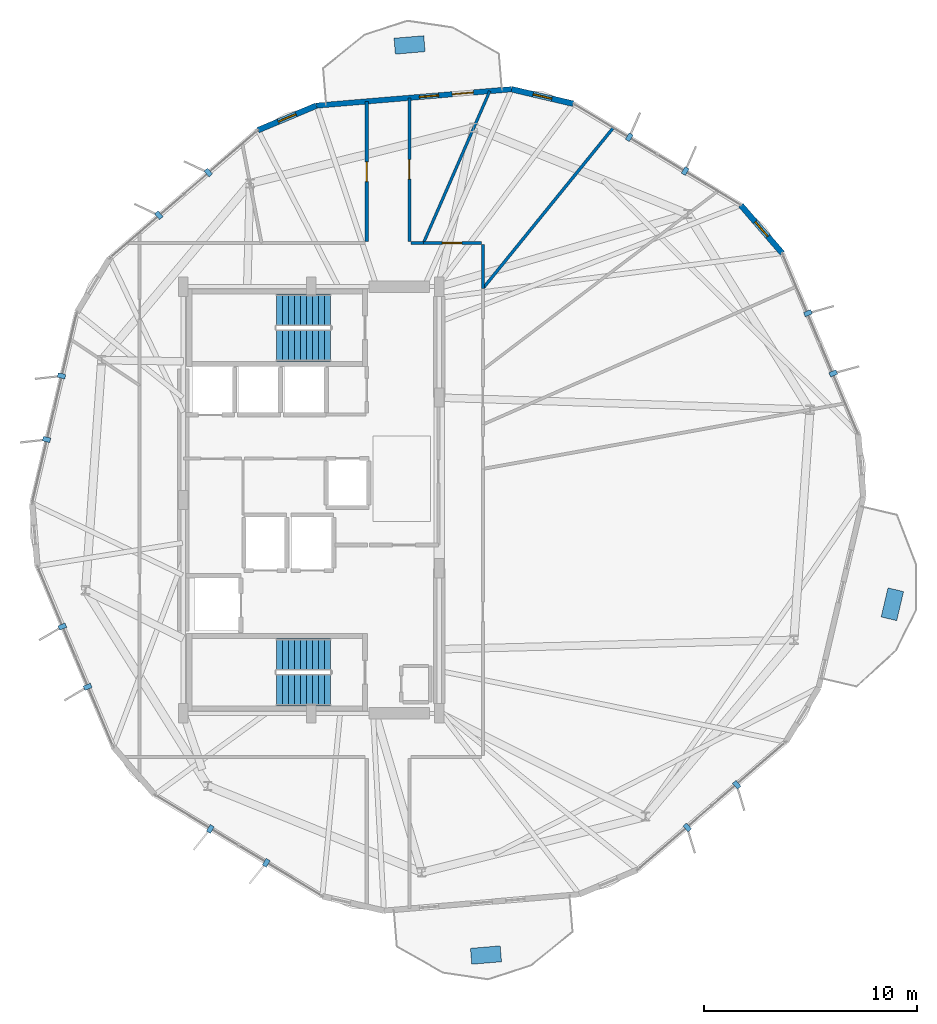
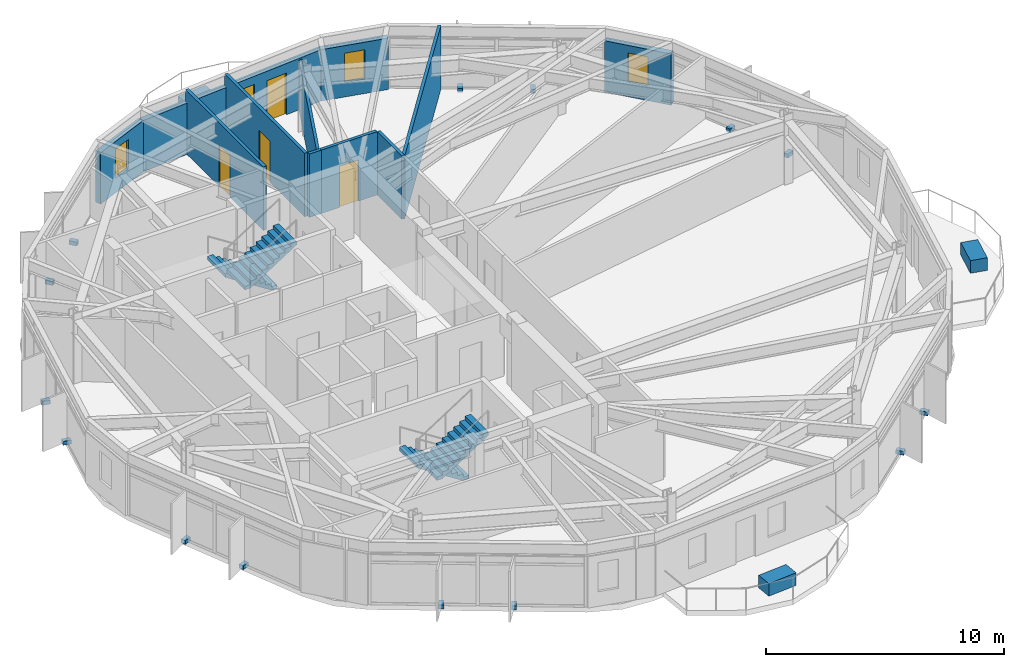
# One storey, part 24 of 27: 17 discrete accessories, 11 walls, 4 doors, 4 stair flights, 4 windows, 8 openings, 2 elements without a shape of their own.
"""IFC4 building model written with IfcOpenShell, lengths in metres."""

from ifc_helpers import new_model, si_unit, direction, frame, frame_2d, origin, origin_2d, place, context, subcontext, project, spatial, polyline, rectangle, outline, extrude, material, layer, layer_set, type_object, element, fill, aggregate, save


model = new_model("IFC4")

# Units and contexts
model_context = context("Model", 3, precision=1e-05, world=origin(), true_north=direction((0.0, 1.0)))
body_context = subcontext(model_context, "Body", "Model", "MODEL_VIEW")
ifc_project = project(units=[si_unit("LENGTHUNIT", "METRE"), si_unit("AREAUNIT", "SQUARE_METRE"), si_unit("VOLUMEUNIT", "CUBIC_METRE"), si_unit("PLANEANGLEUNIT", "RADIAN"), si_unit("MASSUNIT", "GRAM", prefix="KILO")], contexts=[model_context])

# Site, building, storey
site_placement = place(None, origin())
site = spatial("IfcSite", under=ifc_project, at=site_placement, CompositionType="ELEMENT")
building_placement = place(site_placement, origin())
building = spatial("IfcBuilding", under=site, at=building_placement, Name="Soratama Intermodal Tower", CompositionType="ELEMENT")
storey_placement = place(building_placement, frame((0.0, 0.0, 182.199951171875)))
storey = spatial("IfcBuildingStorey", under=building, at=storey_placement, Name="L45", CompositionType="ELEMENT", Elevation=182.199951171875)

# Wall, openings, door, window
ifc_material_1 = material(Name="Concrete f'c 42 MPa", Category="concrete")
ifc_layer_1 = layer(ifc_material_1, 0.25)
ifc_layer_set_1 = layer_set([ifc_layer_1], Name="Concrete f'c 42 MPa")
wall_type_1 = type_object("IfcWallType", Name="EW-BAL-250", PredefinedType="SOLIDWALL", material=ifc_layer_set_1)
wall_1_placement = place(storey_placement, frame((47.9931640625, 44.257080078125, 0.0), z_axis=(0.0, 0.0, 1.0), x_axis=(-0.996493149332, -0.083674388759, 0.0)))
wall_1 = element("IfcWall", 1, at=wall_1_placement, inside=storey, type_object=wall_type_1, Name="L45 Terrace Wall F02", PredefinedType="SOLIDWALL", context=body_context, shape_type="SweptSolid", body=[
    extrude(rectangle(XDim=9.18798828125, YDim=0.25, at=frame_2d((4.593994140625, 0.0))), origin(), (0.0, 0.0, 1.0), 2.63916015625),
])
opening_1_placement = place(wall_1_placement, frame((1.798095703125, 0.0, 0.0)))
opening_1 = element("IfcOpeningElement", 2, at=opening_1_placement, cuts=wall_1, Name="Opening ED-2", PredefinedType="OPENING", context=body_context, shape_type="SweptSolid", body=[
    extrude(rectangle(XDim=1.0, YDim=2.14990234375, at=frame_2d((0.5, 1.074951171875))), frame((0.0, 0.135009765625, 0.0), z_axis=(0.0, -1.0, 0.0), x_axis=(1.0, 0.0, 0.0)), (0.0, 0.0, 1.0), 0.27001953125),
])
opening_2_placement = place(wall_1_placement, frame((3.43798828125, 0.0, 0.719970703125)))
opening_2 = element("IfcOpeningElement", 3, at=opening_2_placement, cuts=wall_1, Name="Opening WN-6", PredefinedType="OPENING", context=body_context, shape_type="SweptSolid", body=[
    extrude(rectangle(XDim=0.89990234375, YDim=1.5, at=frame_2d((0.449951171875, 0.75))), frame((0.0, 0.135009765625, 0.0), z_axis=(0.0, -1.0, 0.0), x_axis=(1.0, 0.0, 0.0)), (0.0, 0.0, 1.0), 0.27001953125),
])
ifc_material_2 = material(Name="Double-glazed aluminium door", Category="aluminium")
door_type_1 = type_object("IfcDoorType", Name="DR-BAL-1000", OperationType="NOTDEFINED", PredefinedType="DOOR", material=ifc_material_2)
door_1_placement = place(opening_1_placement, origin())
door_1 = element("IfcDoor", 4, at=door_1_placement, inside=storey, type_object=door_type_1, Name="L45 Balcony Door F02", OperationType="SINGLE_SWING_RIGHT", OverallHeight=2.14990234375, OverallWidth=1.0, PredefinedType="DOOR", context=body_context, shape_type="SweptSolid", body=[
    extrude(rectangle(XDim=1.0, YDim=2.14990234375, at=frame_2d((0.5, 1.074951171875))), frame((0.0, 0.02490234375, 0.0), z_axis=(0.0, -1.0, 0.0), x_axis=(1.0, 0.0, 0.0)), (0.0, 0.0, 1.0), 0.050048828125),
])
fill(opening_1, door_1)
ifc_material_3 = material(Name="Double-glazed aluminium window", Category="aluminium")
window_type = type_object("IfcWindowType", Name="WN-FAC-900", PartitioningType="SINGLE_PANEL", PredefinedType="WINDOW", material=ifc_material_3)
window_1_placement = place(opening_2_placement, origin())
window_1 = element("IfcWindow", 5, at=window_1_placement, inside=storey, type_object=window_type, Name="L45 Window B F02", OverallHeight=1.5, OverallWidth=0.89990234375, PartitioningType="SINGLE_PANEL", PredefinedType="WINDOW", context=body_context, shape_type="SweptSolid", body=[
    extrude(rectangle(XDim=0.89990234375, YDim=1.5, at=frame_2d((0.449951171875, 0.75))), frame((0.0, 0.030029296875, 0.0), z_axis=(0.0, -1.0, 0.0), x_axis=(1.0, 0.0, 0.0)), (0.0, 0.0, 1.0), 0.06005859375),
])
fill(opening_2, window_1)

# Wall, opening, window
ifc_material_4 = material(Name="Concrete f'c 42 MPa", Category="concrete")
ifc_layer_2 = layer(ifc_material_4, 0.27001953125)
ifc_layer_set_2 = layer_set([ifc_layer_2], Name="Concrete f'c 42 MPa")
wall_type_2 = type_object("IfcWallType", Name="EW-CRN-270", PredefinedType="SOLIDWALL", material=ifc_layer_set_2)
wall_2_placement = place(storey_placement, frame((50.88134765625, 43.57958984375, 0.0), z_axis=(0.0, 0.0, 1.0), x_axis=(-0.973573440302, 0.228374158651, 0.0)))
wall_2 = element("IfcWall", 6, at=wall_2_placement, inside=storey, type_object=wall_type_2, Name="L45 Corner Closure Wall 01", PredefinedType="SOLIDWALL", context=body_context, shape_type="SweptSolid", body=[
    extrude(rectangle(XDim=2.966552734375, YDim=0.27001953125, at=frame_2d((1.4833984375, 0.0))), origin(), (0.0, 0.0, 1.0), 2.63916015625),
])
opening_3_placement = place(wall_2_placement, frame((1.033203125, 0.0, 0.75)))
opening_3 = element("IfcOpeningElement", 7, at=opening_3_placement, cuts=wall_2, Name="Opening WN-6", PredefinedType="OPENING", context=body_context, shape_type="SweptSolid", body=[
    extrude(rectangle(XDim=0.89990234375, YDim=1.5, at=frame_2d((0.449951171875, 0.75))), frame((0.0, 0.14501953125, 0.0), z_axis=(0.0, -1.0, 0.0), x_axis=(1.0, 0.0, 0.0)), (0.0, 0.0, 1.0), 0.2900390625),
])
window_2_placement = place(opening_3_placement, origin())
window_2 = element("IfcWindow", 8, at=window_2_placement, inside=storey, type_object=window_type, Name="L45 Corner Window 01", OverallHeight=1.5, OverallWidth=0.89990234375, PartitioningType="SINGLE_PANEL", PredefinedType="WINDOW", context=body_context, shape_type="SweptSolid", body=[
    extrude(rectangle(XDim=0.89990234375, YDim=1.5, at=frame_2d((0.449951171875, 0.75))), frame((0.0, 0.030029296875, 0.0), z_axis=(0.0, -1.0, 0.0), x_axis=(1.0, 0.0, 0.0)), (0.0, 0.0, 1.0), 0.06005859375),
])
fill(opening_3, window_2)

wall_3_placement = place(storey_placement, frame((38.83740234375, 43.48828125, 0.0), z_axis=(0.0, 0.0, 1.0), x_axis=(-0.921859835558, -0.387523474883, 0.0)))
wall_3 = element("IfcWall", 9, at=wall_3_placement, inside=storey, type_object=wall_type_2, Name="L45 Corner Closure Wall 02", PredefinedType="SOLIDWALL", context=body_context, shape_type="SweptSolid", body=[
    extrude(rectangle(XDim=2.966796875, YDim=0.27001953125, at=frame_2d((1.4833984375, 0.0))), origin(), (0.0, 0.0, 1.0), 2.63916015625),
])
opening_4_placement = place(wall_3_placement, frame((1.033203125, 0.0, 0.75)))
opening_4 = element("IfcOpeningElement", 10, at=opening_4_placement, cuts=wall_3, Name="Opening WN-6", PredefinedType="OPENING", context=body_context, shape_type="SweptSolid", body=[
    extrude(rectangle(XDim=0.89990234375, YDim=1.5, at=frame_2d((0.449951171875, 0.75))), frame((0.0, 0.14501953125, 0.0), z_axis=(0.0, -1.0, 0.0), x_axis=(1.0, 0.0, 0.0)), (0.0, 0.0, 1.0), 0.2900390625),
])
window_3_placement = place(opening_4_placement, origin())
window_3 = element("IfcWindow", 11, at=window_3_placement, inside=storey, type_object=window_type, Name="L45 Corner Window 02", OverallHeight=1.5, OverallWidth=0.89990234375, PartitioningType="SINGLE_PANEL", PredefinedType="WINDOW", context=body_context, shape_type="SweptSolid", body=[
    extrude(rectangle(XDim=0.89990234375, YDim=1.5, at=frame_2d((0.449951171875, 0.75))), frame((0.0, 0.030029296875, 0.0), z_axis=(0.0, -1.0, 0.0), x_axis=(1.0, 0.0, 0.0)), (0.0, 0.0, 1.0), 0.06005859375),
])
fill(opening_4, window_3)

wall_4_placement = place(storey_placement, frame((60.678955078125, 36.57421875, 0.0), z_axis=(0.0, 0.0, 1.0), x_axis=(-0.653444154336, 0.756974726899, 0.0)))
wall_4 = element("IfcWall", 12, at=wall_4_placement, inside=storey, type_object=wall_type_2, Name="L45 Corner Closure Wall 10", PredefinedType="SOLIDWALL", context=body_context, shape_type="SweptSolid", body=[
    extrude(rectangle(XDim=2.966552734375, YDim=0.27001953125, at=frame_2d((1.4833984375, 0.0))), origin(), (0.0, 0.0, 1.0), 2.63916015625),
])
opening_5_placement = place(wall_4_placement, frame((1.033203125, 0.0, 0.75)))
opening_5 = element("IfcOpeningElement", 13, at=opening_5_placement, cuts=wall_4, Name="Opening WN-6", PredefinedType="OPENING", context=body_context, shape_type="SweptSolid", body=[
    extrude(rectangle(XDim=0.89990234375, YDim=1.5, at=frame_2d((0.449951171875, 0.75))), frame((0.0, 0.14501953125, 0.0), z_axis=(0.0, -1.0, 0.0), x_axis=(1.0, 0.0, 0.0)), (0.0, 0.0, 1.0), 0.2900390625),
])
window_4_placement = place(opening_5_placement, origin())
window_4 = element("IfcWindow", 14, at=window_4_placement, inside=storey, type_object=window_type, Name="L45 Corner Window 10", OverallHeight=1.5, OverallWidth=0.89990234375, PartitioningType="SINGLE_PANEL", PredefinedType="WINDOW", context=body_context, shape_type="SweptSolid", body=[
    extrude(rectangle(XDim=0.89990234375, YDim=1.5, at=frame_2d((0.449951171875, 0.75))), frame((0.0, 0.030029296875, 0.0), z_axis=(0.0, -1.0, 0.0), x_axis=(1.0, 0.0, 0.0)), (0.0, 0.0, 1.0), 0.06005859375),
])
fill(opening_5, window_4)

# Wall, opening, door
ifc_material_5 = material(Name="Fire-rated gypsum stud partition", Category="concrete")
ifc_layer_3 = layer(ifc_material_5, 0.14990234375)
ifc_layer_set_3 = layer_set([ifc_layer_3], Name="Fire-rated gypsum stud partition")
wall_type_3 = type_object("IfcWallType", Name="IW-PART-R150", PredefinedType="PARTITIONING", material=ifc_layer_set_3)
wall_5_placement = place(storey_placement, frame((43.199951171875, 43.85498046875, 0.0), z_axis=(0.0, 0.0, 1.0), x_axis=(0.0, -1.0, 0.0)))
wall_5 = element("IfcWall", 15, at=wall_5_placement, inside=storey, type_object=wall_type_3, Name="L45 Partition W-L45-TP013", PredefinedType="PARTITIONING", context=body_context, shape_type="SweptSolid", body=[
    extrude(rectangle(XDim=6.73486328125, YDim=0.14990234375, at=frame_2d((3.367431640625, 0.0))), origin(), (0.0, 0.0, 1.0), 3.260009765625),
])
opening_6_placement = place(wall_5_placement, frame((2.89208984375, 0.0, 0.0)))
opening_6 = element("IfcOpeningElement", 16, at=opening_6_placement, cuts=wall_5, Name="Opening ID-6", PredefinedType="OPENING", context=body_context, shape_type="SweptSolid", body=[
    extrude(rectangle(XDim=0.919921875, YDim=2.1201171875, at=frame_2d((0.4599609375, 1.06005859375))), frame((0.0, 0.0849609375, 0.0), z_axis=(0.0, -1.0, 0.0), x_axis=(1.0, 0.0, 0.0)), (0.0, 0.0, 1.0), 0.169921875),
])
ifc_material_6 = material(Name="Solid hardwood acoustic door", Category="wood")
door_type_2 = type_object("IfcDoorType", Name="DR-ROOM-920", OperationType="NOTDEFINED", PredefinedType="DOOR", material=ifc_material_6)
door_2_placement = place(opening_6_placement, origin())
door_2 = element("IfcDoor", 17, at=door_2_placement, inside=storey, type_object=door_type_2, Name="L45 Door D-L45-TP005", OperationType="SINGLE_SWING_RIGHT", OverallHeight=2.1201171875, OverallWidth=0.919921875, PredefinedType="DOOR", context=body_context, shape_type="SweptSolid", body=[
    extrude(rectangle(XDim=0.919921875, YDim=2.1201171875, at=frame_2d((0.4599609375, 1.06005859375))), frame((0.0, 0.02490234375, 0.0), z_axis=(0.0, -1.0, 0.0), x_axis=(1.0, 0.0, 0.0)), (0.0, 0.0, 1.0), 0.050048828125),
])
fill(opening_6, door_2)

wall_6_placement = place(storey_placement, frame((41.199951171875, 37.1201171875, 0.0), z_axis=(0.0, 0.0, 1.0), x_axis=(0.0, 1.0, 0.0)))
wall_6 = element("IfcWall", 18, at=wall_6_placement, inside=storey, type_object=wall_type_3, Name="L45 Partition W-L45-TP014", PredefinedType="PARTITIONING", context=body_context, shape_type="SweptSolid", body=[
    extrude(rectangle(XDim=6.56689453125, YDim=0.14990234375, at=frame_2d((3.283447265625, 0.0))), origin(), (0.0, 0.0, 1.0), 3.260009765625),
])
opening_7_placement = place(wall_6_placement, frame((2.80810546875, 0.0, 0.0)))
opening_7 = element("IfcOpeningElement", 19, at=opening_7_placement, cuts=wall_6, Name="Opening ID-6", PredefinedType="OPENING", context=body_context, shape_type="SweptSolid", body=[
    extrude(rectangle(XDim=0.919921875, YDim=2.1201171875, at=frame_2d((0.4599609375, 1.06005859375))), frame((0.0, 0.0849609375, 0.0), z_axis=(0.0, -1.0, 0.0), x_axis=(1.0, 0.0, 0.0)), (0.0, 0.0, 1.0), 0.169921875),
])
door_3_placement = place(opening_7_placement, origin())
door_3 = element("IfcDoor", 20, at=door_3_placement, inside=storey, type_object=door_type_2, Name="L45 Door D-L45-TP006", OperationType="SINGLE_SWING_LEFT", OverallHeight=2.1201171875, OverallWidth=0.919921875, PredefinedType="DOOR", context=body_context, shape_type="SweptSolid", body=[
    extrude(rectangle(XDim=0.919921875, YDim=2.1201171875, at=frame_2d((0.4599609375, 1.06005859375))), frame((0.0, 0.02490234375, 0.0), z_axis=(0.0, -1.0, 0.0), x_axis=(1.0, 0.0, 0.0)), (0.0, 0.0, 1.0), 0.050048828125),
])
fill(opening_7, door_3)

wall_7_placement = place(storey_placement, frame((43.860107421875, 37.050048828125, 0.0), z_axis=(0.0, 0.0, 1.0), x_axis=(1.0, 0.0, 0.0)))
wall_7 = element("IfcWall", 21, at=wall_7_placement, inside=storey, type_object=wall_type_3, Name="L45 Partition W-L45-TP024", PredefinedType="PARTITIONING", context=body_context, shape_type="SweptSolid", body=[
    extrude(rectangle(XDim=2.719970703125, YDim=0.14990234375, at=frame_2d((1.35986328125, 0.0))), origin(), (0.0, 0.0, 1.0), 3.260009765625),
])
opening_8_placement = place(wall_7_placement, frame((0.885009765625, 0.0, 0.0)))
opening_8 = element("IfcOpeningElement", 22, at=opening_8_placement, cuts=wall_7, Name="Opening ID-6", PredefinedType="OPENING", context=body_context, shape_type="SweptSolid", body=[
    extrude(rectangle(XDim=0.919921875, YDim=2.1201171875, at=frame_2d((0.4599609375, 1.06005859375))), frame((0.0, 0.0849609375, 0.0), z_axis=(0.0, -1.0, 0.0), x_axis=(1.0, 0.0, 0.0)), (0.0, 0.0, 1.0), 0.169921875),
])
door_4_placement = place(opening_8_placement, origin())
door_4 = element("IfcDoor", 23, at=door_4_placement, inside=storey, type_object=door_type_2, Name="L45 Door D-L45-TP011", OperationType="SINGLE_SWING_RIGHT", OverallHeight=2.1201171875, OverallWidth=0.919921875, PredefinedType="DOOR", context=body_context, shape_type="SweptSolid", body=[
    extrude(rectangle(XDim=0.919921875, YDim=2.1201171875, at=frame_2d((0.4599609375, 1.06005859375))), frame((0.0, 0.02490234375, 0.0), z_axis=(0.0, -1.0, 0.0), x_axis=(1.0, 0.0, 0.0)), (0.0, 0.0, 1.0), 0.050048828125),
])
fill(opening_8, door_4)

# Walls
wall_8_placement = place(storey_placement, frame((46.64990234375, 36.97998046875, 0.0), z_axis=(0.0, 0.0, 1.0), x_axis=(0.0, -1.0, 0.0)))
element("IfcWall", 24, at=wall_8_placement, inside=storey, type_object=wall_type_3, Name="L45 Partition W-L45-TP029", PredefinedType="PARTITIONING", context=body_context, shape_type="SweptSolid", body=[
    extrude(rectangle(XDim=2.05908203125, YDim=0.14990234375, at=frame_2d((1.029541015625, 0.0))), origin(), (0.0, 0.0, 1.0), 3.260009765625),
])
wall_9_placement = place(storey_placement, frame((43.27001953125, 37.050048828125, 0.0), z_axis=(0.0, 0.0, 1.0), x_axis=(1.0, 0.0, 0.0)))
element("IfcWall", 25, at=wall_9_placement, inside=storey, type_object=wall_type_3, Name="L45 Partition W-L45-TP032", PredefinedType="PARTITIONING", context=body_context, shape_type="SweptSolid", body=[
    extrude(rectangle(XDim=0.590087890625, YDim=0.14990234375, at=frame_2d((0.294921875, 0.0))), origin(), (0.0, 0.0, 1.0), 3.260009765625),
])
ifc_material_7 = material(Name="Fire-rated gypsum stud partition", Category="concrete")
ifc_layer_4 = layer(ifc_material_7, 0.1298828125)
ifc_layer_set_4 = layer_set([ifc_layer_4], Name="Fire-rated gypsum stud partition")
wall_type_4 = type_object("IfcWallType", Name="IW-PART-S130", PredefinedType="PARTITIONING", material=ifc_layer_set_4)
wall_10_placement = place(storey_placement, frame((43.860107421875, 37.050048828125, 0.0), z_axis=(0.0, 0.0, 1.0), x_axis=(0.400118177533, 0.916463553016, 0.0)))
element("IfcWall", 26, at=wall_10_placement, inside=storey, type_object=wall_type_4, Name="L45 Partition W-L45-TP008", PredefinedType="PARTITIONING", context=body_context, shape_type="SweptSolid", body=[
    extrude(rectangle(XDim=7.77001953125, YDim=0.1298828125, at=frame_2d((3.885009765625, 0.0))), origin(), (0.0, 0.0, 1.0), 2.554931640625),
])
ifc_material_8 = material(Name="Fire-rated gypsum stud partition", Category="concrete")
ifc_layer_5 = layer(ifc_material_8, 0.139892578125)
ifc_layer_set_5 = layer_set([ifc_layer_5], Name="Fire-rated gypsum stud partition")
wall_type_5 = type_object("IfcWallType", Name="IW-PART-S140", PredefinedType="PARTITIONING", material=ifc_layer_set_5)
wall_11_placement = place(storey_placement, frame((46.64990234375, 34.9208984375, 0.0), z_axis=(0.0, 0.0, 1.0), x_axis=(0.630069812672, 0.776538493031, 0.0)))
element("IfcWall", 27, at=wall_11_placement, inside=storey, type_object=wall_type_5, Name="L45 Partition W-L45-TP007", PredefinedType="PARTITIONING", context=body_context, shape_type="SweptSolid", body=[
    extrude(rectangle(XDim=9.689453125, YDim=0.139892578125, at=frame_2d((4.8447265625, 0.0))), origin(), (0.0, 0.0, 1.0), 3.260009765625),
])

# Stair, stair flights
ifc_material_9 = material(Name="Concrete f'c 42 MPa", Category="concrete")
stair_type = type_object("IfcStairType", Name="ST-CORE-DOGLEG", PredefinedType="HALF_TURN_STAIR", material=ifc_material_9)
stair_1_placement = place(storey_placement, origin())
stair_1 = element("IfcStair", 28, at=stair_1_placement, inside=storey, type_object=stair_type, Name="L45 ST-1", PredefinedType="HALF_TURN_STAIR")
ifc_material_10 = material(Name="Precast concrete f'c 40 MPa", Category="concrete")
ifc_layer_6 = layer(ifc_material_10, 0.199951171875)
ifc_layer_set_6 = layer_set([ifc_layer_6], Name="Precast concrete f'c 40 MPa")
stair_flight_type = type_object("IfcStairFlightType", Name="SF-FLIGHT-RC", PredefinedType="STRAIGHT", material=ifc_layer_set_6)
stair_flight_1_placement = place(storey_placement, frame((39.5, 17.75, 0.0), z_axis=(0.0, 0.0, 1.0), x_axis=(-1.0, 0.0, 0.0)))
stair_flight_1 = element("IfcStairFlight", 29, at=stair_flight_1_placement, type_object=stair_flight_type, Name="ST-1 flight 1", NumberOfRisers=10, NumberOfTreads=9, PredefinedType="STRAIGHT", RiserHeight=0.18, TreadLength=0.28, context=body_context, shape_type="SweptSolid", body=[
    extrude(outline(polyline([(0.0, 0.0), (0.0, 0.179931640625), (0.280029296875, 0.179931640625), (0.280029296875, 0.360107421875), (0.56005859375, 0.360107421875), (0.56005859375, 0.5400390625), (0.840087890625, 0.5400390625), (0.840087890625, 0.719970703125), (1.1201171875, 0.719970703125), (1.1201171875, 0.89990234375), (1.39990234375, 0.89990234375), (1.39990234375, 1.080078125), (1.679931640625, 1.080078125), (1.679931640625, 1.260009765625), (1.9599609375, 1.260009765625), (1.9599609375, 1.43994140625), (2.239990234375, 1.43994140625), (2.239990234375, 1.6201171875), (2.52001953125, 1.6201171875), (2.52001953125, 1.800048828125), (2.52001953125, 1.44189453125), (0.277099609375, 0.0), (0.0, 0.0)])), frame((0.0, 0.75, 0.0), z_axis=(0.0, -1.0, 0.0), x_axis=(1.0, 0.0, 0.0)), (0.0, 0.0, 1.0), 1.5),
])
stair_flight_2_placement = place(storey_placement, frame((36.97998046875, 16.10009765625, 1.800048828125), z_axis=(0.0, 0.0, 1.0), x_axis=(1.0, 0.0, 0.0)))
stair_flight_2 = element("IfcStairFlight", 30, at=stair_flight_2_placement, type_object=stair_flight_type, Name="ST-1 flight 2", NumberOfRisers=10, NumberOfTreads=9, PredefinedType="STRAIGHT", RiserHeight=0.18, TreadLength=0.28, context=body_context, shape_type="SweptSolid", body=[
    extrude(outline(polyline([(0.0, 0.0), (0.0, 0.179931640625), (0.280029296875, 0.179931640625), (0.280029296875, 0.360107421875), (0.56005859375, 0.360107421875), (0.56005859375, 0.5400390625), (0.840087890625, 0.5400390625), (0.840087890625, 0.719970703125), (1.1201171875, 0.719970703125), (1.1201171875, 0.89990234375), (1.39990234375, 0.89990234375), (1.39990234375, 1.080078125), (1.679931640625, 1.080078125), (1.679931640625, 1.260009765625), (1.9599609375, 1.260009765625), (1.9599609375, 1.43994140625), (2.239990234375, 1.43994140625), (2.239990234375, 1.6201171875), (2.52001953125, 1.6201171875), (2.52001953125, 1.800048828125), (2.52001953125, 1.44189453125), (0.277099609375, 0.0), (0.0, 0.0)])), frame((0.0, 0.75, 0.0), z_axis=(0.0, -1.0, 0.0), x_axis=(1.0, 0.0, 0.0)), (0.0, 0.0, 1.0), 1.5),
])
aggregate(stair_1, [stair_flight_1, stair_flight_2])

stair_2_placement = place(storey_placement, origin())
stair_2 = element("IfcStair", 31, at=stair_2_placement, inside=storey, type_object=stair_type, Name="L45 ST-2", PredefinedType="HALF_TURN_STAIR")
stair_flight_3_placement = place(storey_placement, frame((39.5, 33.89990234375, 0.0), z_axis=(0.0, 0.0, 1.0), x_axis=(-1.0, 0.0, 0.0)))
stair_flight_3 = element("IfcStairFlight", 32, at=stair_flight_3_placement, type_object=stair_flight_type, Name="ST-2 flight 1", NumberOfRisers=10, NumberOfTreads=9, PredefinedType="STRAIGHT", RiserHeight=0.18, TreadLength=0.28, context=body_context, shape_type="SweptSolid", body=[
    extrude(outline(polyline([(0.0, 0.0), (0.0, 0.179931640625), (0.280029296875, 0.179931640625), (0.280029296875, 0.360107421875), (0.56005859375, 0.360107421875), (0.56005859375, 0.5400390625), (0.840087890625, 0.5400390625), (0.840087890625, 0.719970703125), (1.1201171875, 0.719970703125), (1.1201171875, 0.89990234375), (1.39990234375, 0.89990234375), (1.39990234375, 1.080078125), (1.679931640625, 1.080078125), (1.679931640625, 1.260009765625), (1.9599609375, 1.260009765625), (1.9599609375, 1.43994140625), (2.239990234375, 1.43994140625), (2.239990234375, 1.6201171875), (2.52001953125, 1.6201171875), (2.52001953125, 1.800048828125), (2.52001953125, 1.44189453125), (0.277099609375, 0.0), (0.0, 0.0)])), frame((0.0, 0.75, 0.0), z_axis=(0.0, -1.0, 0.0), x_axis=(1.0, 0.0, 0.0)), (0.0, 0.0, 1.0), 1.5),
])
stair_flight_4_placement = place(storey_placement, frame((36.97998046875, 32.25, 1.800048828125), z_axis=(0.0, 0.0, 1.0), x_axis=(1.0, 0.0, 0.0)))
stair_flight_4 = element("IfcStairFlight", 33, at=stair_flight_4_placement, type_object=stair_flight_type, Name="ST-2 flight 2", NumberOfRisers=10, NumberOfTreads=9, PredefinedType="STRAIGHT", RiserHeight=0.18, TreadLength=0.28, context=body_context, shape_type="SweptSolid", body=[
    extrude(outline(polyline([(0.0, 0.0), (0.0, 0.179931640625), (0.280029296875, 0.179931640625), (0.280029296875, 0.360107421875), (0.56005859375, 0.360107421875), (0.56005859375, 0.5400390625), (0.840087890625, 0.5400390625), (0.840087890625, 0.719970703125), (1.1201171875, 0.719970703125), (1.1201171875, 0.89990234375), (1.39990234375, 0.89990234375), (1.39990234375, 1.080078125), (1.679931640625, 1.080078125), (1.679931640625, 1.260009765625), (1.9599609375, 1.260009765625), (1.9599609375, 1.43994140625), (2.239990234375, 1.43994140625), (2.239990234375, 1.6201171875), (2.52001953125, 1.6201171875), (2.52001953125, 1.800048828125), (2.52001953125, 1.44189453125), (0.277099609375, 0.0), (0.0, 0.0)])), frame((0.0, 0.75, 0.0), z_axis=(0.0, -1.0, 0.0), x_axis=(1.0, 0.0, 0.0)), (0.0, 0.0, 1.0), 1.5),
])
aggregate(stair_2, [stair_flight_3, stair_flight_4])

# Discrete accessories
ifc_material_11 = material(Name="Structural steel ASTM A992 Grade 50", Category="steel")
discrete_accessory_type_1 = type_object("IfcDiscreteAccessoryType", Name="AC-FIN-BRACKET", PredefinedType="BRACKET", material=ifc_material_11)
for number, where, z_axis, x_axis, name in (
    (34, (56.131103515625, 40.423583984375, -0.080078125), (0.0, 0.0, 1.0), (0.518027009373, 0.855364260161, 0.0), "L45 Fin Bracket F01-1"),
    (35, (53.511474609375, 42.010009765625, -0.080078125), (0.0, 0.0, 1.0), (0.518027009373, 0.855364260161, 0.0), "L45 Fin Bracket F01-2"),
    (36, (33.77099609375, 40.3525390625, -0.080078125), (0.0, 0.0, 1.0), (-0.65342060399, 0.756995055652, 0.0), "L45 Fin Bracket F03-1"),
    (37, (31.45263671875, 38.351318359375, -0.080078125), (0.0, 0.0, 1.0), (-0.65342060399, 0.756995055652, 0.0), "L45 Fin Bracket F03-2"),
    (38, (26.8916015625, 30.8203125, -0.080078125), (0.0, 0.0, 1.0), (-0.973578902873, 0.228350870111, 0.0), "L45 Fin Bracket F04-1"),
    (39, (26.192138671875, 27.83837890625, -0.080078125), (0.0, 0.0, 1.0), (-0.973578902873, 0.228350870111, 0.0), "L45 Fin Bracket F04-2"),
    (40, (26.928955078125, 19.064697265625, -0.080078125), (0.0, 0.0, 1.0), (-0.921863151589, -0.387515586452, 0.0), "L45 Fin Bracket F05-1"),
    (41, (28.11572265625, 16.2412109375, -0.080078125), (0.0, 0.0, 1.0), (-0.921863151589, -0.387515586452, 0.0), "L45 Fin Bracket F05-2"),
    (42, (33.868896484375, 9.576416015625, -0.080078125), (0.0, 0.0, 1.0), (-0.518027009373, -0.855364260161, 0.0), "L45 Fin Bracket F06-1"),
    (43, (36.488525390625, 7.989990234375, -0.080078125), (0.0, 0.0, 1.0), (-0.518027009373, -0.855364260161, 0.0), "L45 Fin Bracket F06-2"),
    (44, (56.22900390625, 9.6474609375, -0.080078125), (0.0, 0.0, 1.0), (0.65342060399, -0.756995055652, 0.0), "L45 Fin Bracket F08-1"),
    (45, (58.54736328125, 11.648681640625, -0.080078125), (0.0, 0.0, 1.0), (0.65342060399, -0.756995055652, 0.0), "L45 Fin Bracket F08-2"),
    (46, (63.071044921875, 30.935302734375, -0.080078125), (0.0, 0.0, 1.0), (0.921863151589, 0.387515586452, 0.0), "L45 Fin Bracket F10-1"),
    (47, (61.88427734375, 33.7587890625, -0.080078125), (0.0, 0.0, 1.0), (0.921863151589, 0.387515586452, 0.0), "L45 Fin Bracket F10-2"),
):
    element("IfcDiscreteAccessory", number, at=place(storey_placement, frame(where, z_axis=z_axis, x_axis=x_axis)), inside=storey, type_object=discrete_accessory_type_1, Name=name, PredefinedType="BRACKET", context=body_context, shape_type="SweptSolid", body=[
        extrude(rectangle(XDim=0.360107421875, YDim=0.219970703125, at=origin_2d()), origin(), (0.0, 0.0, 1.0), 0.199951171875),
    ])
ifc_material_12 = material(Name="Precast concrete f'c 40 MPa", Category="concrete")
discrete_accessory_type_2 = type_object("IfcDiscreteAccessoryType", Name="AC-PLANTER-TREE", PredefinedType="USERDEFINED", material=ifc_material_12)
for number, where, z_axis, x_axis, name in (
    (48, (65.843505859375, 20.111083984375, 0.0), (0.0, 0.0, 1.0), (0.973578902873, -0.228350870111, 0.0), "L45 Tree Planter 1"),
    (49, (43.20849609375, 46.333984375, 0.0), (0.0, 0.0, 1.0), (-0.083677843332, 0.99649285925, 0.0), "L45 Tree Planter 2"),
    (50, (46.79150390625, 3.666015625, 0.0), (0.0, 0.0, 1.0), (0.083677843332, -0.99649285925, 0.0), "L45 Tree Planter 3"),
):
    element("IfcDiscreteAccessory", number, at=place(storey_placement, frame(where, z_axis=z_axis, x_axis=x_axis)), inside=storey, type_object=discrete_accessory_type_2, Name=name, ObjectType="PLANTER", PredefinedType="USERDEFINED", context=body_context, shape_type="SweptSolid", body=[
        extrude(rectangle(XDim=0.75, YDim=1.39990234375, at=origin_2d()), origin(), (0.0, 0.0, 1.0), 0.64990234375),
    ])

save(model, "model.ifc")
